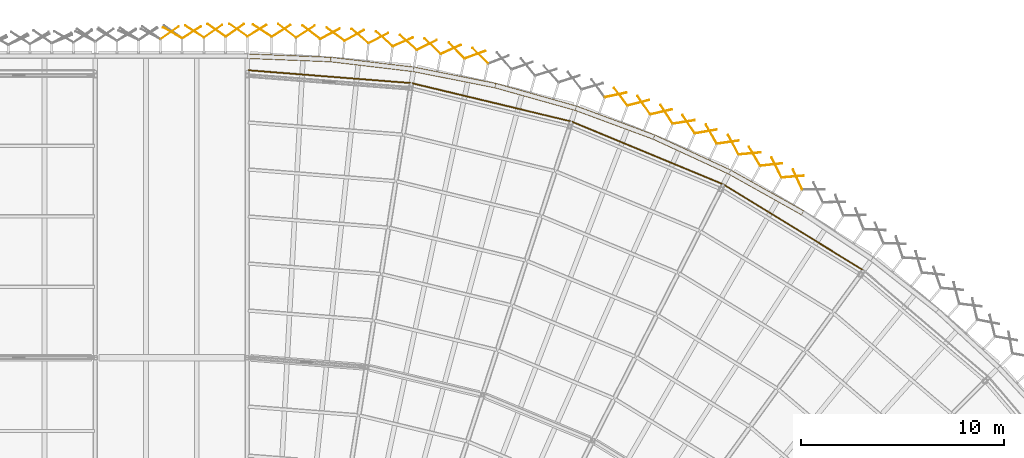
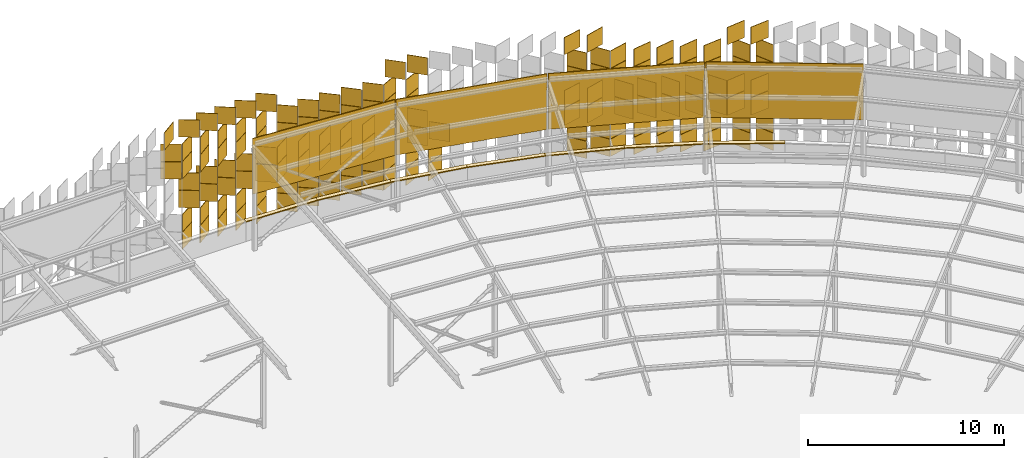
# One storey, part 481 of 483: 154 coverings.
"""IFC4 building model written with IfcOpenShell, lengths in metres."""

from ifc_helpers import new_model, si_unit, direction, frame, origin, origin_2d, place, context, subcontext, project, spatial, polyline, rectangle, outline, extrude, material, layer, layer_set, type_object, element, save


model = new_model("IFC4")

# Units and contexts
model_context = context("Model", 3, precision=1e-05, world=origin(), true_north=direction((0.0, 1.0)))
body_context = subcontext(model_context, "Body", "Model", "MODEL_VIEW")
ifc_project = project(units=[si_unit("LENGTHUNIT", "METRE"), si_unit("AREAUNIT", "SQUARE_METRE"), si_unit("VOLUMEUNIT", "CUBIC_METRE"), si_unit("PLANEANGLEUNIT", "RADIAN"), si_unit("MASSUNIT", "GRAM", prefix="KILO")], contexts=[model_context])

# Site, building, storey
site_placement = place(None, origin())
site = spatial("IfcSite", under=ifc_project, at=site_placement, CompositionType="ELEMENT")
building_placement = place(site_placement, origin())
building = spatial("IfcBuilding", under=site, at=building_placement, Name="Parallax Yard Mobility Hub", CompositionType="ELEMENT")
storey_placement = place(building_placement, frame((0.0, 0.0, 13.199951171875)))
storey = spatial("IfcBuildingStorey", under=building, at=storey_placement, Name="L04", CompositionType="ELEMENT", Elevation=13.199951171875)

# Coverings
ifc_material_1 = material(Name="Concrete fc' 35 MPa", Category="concrete")
ifc_layer_1 = layer(ifc_material_1, 0.06005859375)
ifc_layer_set_1 = layer_set([ifc_layer_1], Name="Parapet coping, Concrete fc' 35 MPa precast, 240")
covering_type_1 = type_object("IfcCoveringType", Name="Parapet coping, Concrete fc' 35 MPa precast, 240", PredefinedType="USERDEFINED", material=ifc_layer_set_1)
covering_1_placement = place(storey_placement, frame((0.0, 0.0, 1.199951171875)))
element("IfcCovering", 1, at=covering_1_placement, inside=storey, type_object=covering_type_1, Name="Parapet coping run 4 part 30", ObjectType="COPING", PredefinedType="USERDEFINED", context=body_context, shape_type="SweptSolid", body=[
    extrude(outline(polyline([(199.7900390625, 134.533203125), (199.915283203125, 134.738037109375), (196.31982421875, 136.75), (196.210693359375, 136.5361328125), (199.7900390625, 134.533203125)])), origin(), (0.0, 0.0, 1.0), 0.06005859375),
])
covering_2_placement = place(storey_placement, frame((0.0, 0.0, 1.199951171875)))
element("IfcCovering", 2, at=covering_2_placement, inside=storey, type_object=covering_type_1, Name="Parapet coping run 4 part 31", ObjectType="COPING", PredefinedType="USERDEFINED", context=body_context, shape_type="SweptSolid", body=[
    extrude(outline(polyline([(196.210693359375, 136.5361328125), (196.31982421875, 136.75), (192.5791015625, 138.47607421875), (192.487060546875, 138.254150390625), (196.210693359375, 136.5361328125)])), origin(), (0.0, 0.0, 1.0), 0.06005859375),
])
covering_3_placement = place(storey_placement, frame((0.0, 0.0, 1.199951171875)))
element("IfcCovering", 3, at=covering_3_placement, inside=storey, type_object=covering_type_1, Name="Parapet coping run 4 part 32", ObjectType="COPING", PredefinedType="USERDEFINED", context=body_context, shape_type="SweptSolid", body=[
    extrude(outline(polyline([(192.487060546875, 138.254150390625), (192.5791015625, 138.47607421875), (188.71533203125, 139.90576171875), (188.64111328125, 139.67724609375), (192.487060546875, 138.254150390625)])), origin(), (0.0, 0.0, 1.0), 0.06005859375),
])
covering_4_placement = place(storey_placement, frame((0.0, 0.0, 1.199951171875)))
element("IfcCovering", 4, at=covering_4_placement, inside=storey, type_object=covering_type_1, Name="Parapet coping run 4 part 33", ObjectType="COPING", PredefinedType="USERDEFINED", context=body_context, shape_type="SweptSolid", body=[
    extrude(outline(polyline([(188.64111328125, 139.67724609375), (188.71533203125, 139.90576171875), (184.7490234375, 141.020263671875), (184.693115234375, 140.78662109375), (188.64111328125, 139.67724609375)])), origin(), (0.0, 0.0, 1.0), 0.06005859375),
])
covering_5_placement = place(storey_placement, frame((0.0, 0.0, 1.199951171875)))
element("IfcCovering", 5, at=covering_5_placement, inside=storey, type_object=covering_type_1, Name="Parapet coping run 4 part 34", ObjectType="COPING", PredefinedType="USERDEFINED", context=body_context, shape_type="SweptSolid", body=[
    extrude(outline(polyline([(184.693115234375, 140.78662109375), (184.7490234375, 141.020263671875), (180.708251953125, 141.822509765625), (180.670654296875, 141.58544921875), (184.693115234375, 140.78662109375)])), origin(), (0.0, 0.0, 1.0), 0.06005859375),
])
covering_6_placement = place(storey_placement, frame((0.0, 0.0, 1.199951171875)))
element("IfcCovering", 6, at=covering_6_placement, inside=storey, type_object=covering_type_1, Name="Parapet coping run 4 part 35", ObjectType="COPING", PredefinedType="USERDEFINED", context=body_context, shape_type="SweptSolid", body=[
    extrude(outline(polyline([(180.670654296875, 141.58544921875), (180.708251953125, 141.822509765625), (176.61669921875, 142.30810546875), (176.597900390625, 142.06884765625), (180.670654296875, 141.58544921875)])), origin(), (0.0, 0.0, 1.0), 0.06005859375),
])
covering_7_placement = place(storey_placement, frame((0.0, 0.0, 1.199951171875)))
element("IfcCovering", 7, at=covering_7_placement, inside=storey, type_object=covering_type_1, Name="Parapet coping run 4 part 36", ObjectType="COPING", PredefinedType="USERDEFINED", context=body_context, shape_type="SweptSolid", body=[
    extrude(outline(polyline([(176.597900390625, 142.06884765625), (176.61669921875, 142.30810546875), (172.499267578125, 142.47412109375), (172.494384765625, 142.23388671875), (176.597900390625, 142.06884765625)])), origin(), (0.0, 0.0, 1.0), 0.06005859375),
])
ifc_material_2 = material(Name="Aluminium panel, silver anodised", Category="aluminium")
ifc_layer_2 = layer(ifc_material_2, 0.030029296875)
ifc_layer_set_2 = layer_set([ifc_layer_2], Name="Skin panel 30 degree turn, silver anodised")
covering_type_2 = type_object("IfcCoveringType", Name="Skin panel 30 degree turn, silver anodised", PredefinedType="CLADDING", material=ifc_layer_set_2)
for number, where, z_axis, x_axis, name in (
    (8, (168.805419921875, 143.509765625, 4.419921875), (0.0, 0.0, 1.0), (-0.866025403784, 0.5, 0.0), "Skin panel 30 bay 51.4 row 5 level L04"),
    (9, (168.805419921875, 143.509765625, 5.52001953125), (0.0, 0.0, 1.0), (-0.866025403784, 0.5, 0.0), "Skin panel 30 bay 51.4 row 6 level L04"),
):
    element("IfcCovering", number, at=place(storey_placement, frame(where, z_axis=z_axis, x_axis=x_axis)), inside=storey, type_object=covering_type_2, Name=name, ObjectType="SCREEN", PredefinedType="CLADDING", context=body_context, shape_type="SweptSolid", body=[
        extrude(rectangle(XDim=1.080078125, YDim=0.030029296875, at=origin_2d()), origin(), (0.0, 0.0, 1.0), 1.080078125),
    ])
ifc_layer_3 = layer(ifc_material_2, 0.030029296875)
ifc_layer_set_3 = layer_set([ifc_layer_3], Name="Skin panel 32.5 degree turn, silver anodised")
covering_type_3 = type_object("IfcCoveringType", Name="Skin panel 32.5 degree turn, silver anodised", PredefinedType="CLADDING", material=ifc_layer_set_3)
for number, where, z_axis, x_axis, name in (
    (10, (197.259521484375, 137.560546875, 0.02001953125), (0.0, 0.0, 1.0), (0.995396198367, 0.09584575252, 0.0), "Skin panel 32.5 bay 47.7 row 1 level L04"),
    (11, (197.259521484375, 137.560546875, 1.1201171875), (0.0, 0.0, 1.0), (0.995396198367, 0.09584575252, 0.0), "Skin panel 32.5 bay 47.7 row 2 level L04"),
    (12, (197.486572265625, 137.430908203125, 2.219970703125), (0.0, 0.0, 1.0), (-0.507538362961, 0.861629160442, 0.0), "Skin panel 32.5 bay 47.7 row 3 level L04"),
    (13, (197.486572265625, 137.430908203125, 3.320068359375), (0.0, 0.0, 1.0), (-0.507538362961, 0.861629160442, 0.0), "Skin panel 32.5 bay 47.7 row 4 level L04"),
    (14, (197.259521484375, 137.560546875, 4.419921875), (0.0, 0.0, 1.0), (0.995396198367, 0.09584575252, 0.0), "Skin panel 32.5 bay 47.7 row 5 level L04"),
    (15, (197.259521484375, 137.560546875, 5.52001953125), (0.0, 0.0, 1.0), (0.995396198367, 0.09584575252, 0.0), "Skin panel 32.5 bay 47.7 row 6 level L04"),
    (16, (194.010986328125, 139.11328125, 0.02001953125), (0.0, 0.0, 1.0), (0.988301163175, 0.152514952931, 0.0), "Skin panel 32.5 bay 48.3 row 1 level L04"),
    (17, (194.010986328125, 139.11328125, 1.1201171875), (0.0, 0.0, 1.0), (0.988301163175, 0.152514952931, 0.0), "Skin panel 32.5 bay 48.3 row 2 level L04"),
    (18, (194.236572265625, 139.01416015625, 2.219970703125), (0.0, 0.0, 1.0), (-0.555899609138, 0.831249435826, 0.0), "Skin panel 32.5 bay 48.3 row 3 level L04"),
    (19, (194.236572265625, 139.01416015625, 3.320068359375), (0.0, 0.0, 1.0), (-0.555899609138, 0.831249435826, 0.0), "Skin panel 32.5 bay 48.3 row 4 level L04"),
    (20, (194.010986328125, 139.11328125, 4.419921875), (0.0, 0.0, 1.0), (0.988301163175, 0.152514952931, 0.0), "Skin panel 32.5 bay 48.3 row 5 level L04"),
    (21, (194.010986328125, 139.11328125, 5.52001953125), (0.0, 0.0, 1.0), (0.988301163175, 0.152514952931, 0.0), "Skin panel 32.5 bay 48.3 row 6 level L04"),
    (22, (190.8984375, 140.36328125, 0.02001953125), (0.0, 0.0, 1.0), (-0.602449049595, 0.798157342033, 0.0), "Skin panel 32.5 bay 48.6 row 1 level L04"),
    (23, (190.8984375, 140.36328125, 1.1201171875), (0.0, 0.0, 1.0), (-0.602449049595, 0.798157342033, 0.0), "Skin panel 32.5 bay 48.6 row 2 level L04"),
    (24, (190.650390625, 140.445556640625, 2.219970703125), (0.0, 0.0, 1.0), (0.977982184493, 0.208688396455, 0.0), "Skin panel 32.5 bay 48.6 row 3 level L04"),
    (25, (190.650390625, 140.445556640625, 3.320068359375), (0.0, 0.0, 1.0), (0.977982184493, 0.208688396455, 0.0), "Skin panel 32.5 bay 48.6 row 4 level L04"),
    (26, (190.8984375, 140.36328125, 4.419921875), (0.0, 0.0, 1.0), (-0.602449049595, 0.798157342033, 0.0), "Skin panel 32.5 bay 48.6 row 5 level L04"),
    (27, (190.8984375, 140.36328125, 5.52001953125), (0.0, 0.0, 1.0), (-0.602449049595, 0.798157342033, 0.0), "Skin panel 32.5 bay 48.6 row 6 level L04"),
    (28, (190.650390625, 140.445556640625, 6.6201171875), (0.0, 0.0, 1.0), (0.977982184493, 0.208688396455, 0.0), "Skin panel 32.5 bay 48.6 row 7 level L04"),
    (29, (183.724365234375, 142.4296875, 0.02001953125), (0.0, 0.0, 1.0), (0.938328390314, 0.345745328141, 0.0), "Skin panel 32.5 bay 49.5 row 1 level L04"),
    (30, (183.724365234375, 142.4296875, 1.1201171875), (0.0, 0.0, 1.0), (0.938328390314, 0.345745328141, 0.0), "Skin panel 32.5 bay 49.5 row 2 level L04"),
    (31, (183.965087890625, 142.377197265625, 2.219970703125), (0.0, 0.0, 1.0), (-0.709906396482, 0.704296037355, 0.0), "Skin panel 32.5 bay 49.5 row 3 level L04"),
    (32, (180.424560546875, 143.030517578125, 0.02001953125), (0.0, 0.0, 1.0), (-0.748955720789, 0.662620048216, 0.0), "Skin panel 32.5 bay 50.1 row 1 level L04"),
    (33, (180.424560546875, 143.030517578125, 1.1201171875), (0.0, 0.0, 1.0), (-0.748955720789, 0.662620048216, 0.0), "Skin panel 32.5 bay 50.1 row 2 level L04"),
    (34, (180.164794921875, 143.05908203125, 2.219970703125), (0.0, 0.0, 1.0), (0.917060074385, 0.398749068925, 0.0), "Skin panel 32.5 bay 50.1 row 3 level L04"),
    (35, (180.164794921875, 143.05908203125, 3.320068359375), (0.0, 0.0, 1.0), (0.917060074385, 0.398749068925, 0.0), "Skin panel 32.5 bay 50.1 row 4 level L04"),
    (36, (180.424560546875, 143.030517578125, 4.419921875), (0.0, 0.0, 1.0), (-0.748955720789, 0.662620048216, 0.0), "Skin panel 32.5 bay 50.1 row 5 level L04"),
    (37, (180.424560546875, 143.030517578125, 5.52001953125), (0.0, 0.0, 1.0), (-0.748955720789, 0.662620048216, 0.0), "Skin panel 32.5 bay 50.1 row 6 level L04"),
    (38, (176.83935546875, 143.4375, 0.02001953125), (0.0, 0.0, 1.0), (-0.802912160458, 0.596097359991, 0.0), "Skin panel 32.5 bay 50.4 row 1 level L04"),
    (39, (176.83935546875, 143.4375, 1.1201171875), (0.0, 0.0, 1.0), (-0.802912160458, 0.596097359991, 0.0), "Skin panel 32.5 bay 50.4 row 2 level L04"),
    (40, (176.579345703125, 143.462646484375, 2.219970703125), (0.0, 0.0, 1.0), (0.879573020775, 0.475763913222, 0.0), "Skin panel 32.5 bay 50.4 row 3 level L04"),
    (41, (176.579345703125, 143.462646484375, 3.320068359375), (0.0, 0.0, 1.0), (0.879573020775, 0.475763913222, 0.0), "Skin panel 32.5 bay 50.4 row 4 level L04"),
    (42, (176.83935546875, 143.4375, 4.419921875), (0.0, 0.0, 1.0), (-0.802912160458, 0.596097359991, 0.0), "Skin panel 32.5 bay 50.4 row 5 level L04"),
    (43, (176.83935546875, 143.4375, 5.52001953125), (0.0, 0.0, 1.0), (-0.802912160458, 0.596097359991, 0.0), "Skin panel 32.5 bay 50.4 row 6 level L04"),
    (44, (172.975341796875, 143.615966796875, 0.02001953125), (0.0, 0.0, 1.0), (0.850977982527, 0.525201364482, 0.0), "Skin panel 32.5 bay 50.7 row 1 level L04"),
    (45, (172.975341796875, 143.615966796875, 1.1201171875), (0.0, 0.0, 1.0), (0.850977982527, 0.525201364482, 0.0), "Skin panel 32.5 bay 50.7 row 2 level L04"),
    (46, (173.22900390625, 143.612548828125, 2.219970703125), (0.0, 0.0, 1.0), (-0.835632922148, 0.54928828444, 0.0), "Skin panel 32.5 bay 50.7 row 3 level L04"),
    (47, (173.22900390625, 143.612548828125, 3.320068359375), (0.0, 0.0, 1.0), (-0.835632922148, 0.54928828444, 0.0), "Skin panel 32.5 bay 50.7 row 4 level L04"),
    (48, (172.975341796875, 143.615966796875, 4.419921875), (0.0, 0.0, 1.0), (0.850977982527, 0.525201364482, 0.0), "Skin panel 32.5 bay 50.7 row 5 level L04"),
    (49, (172.975341796875, 143.615966796875, 5.52001953125), (0.0, 0.0, 1.0), (0.850977982527, 0.525201364482, 0.0), "Skin panel 32.5 bay 50.7 row 6 level L04"),
    (50, (173.22900390625, 143.612548828125, 6.6201171875), (0.0, 0.0, 1.0), (-0.835632922148, 0.54928828444, 0.0), "Skin panel 32.5 bay 50.7 row 7 level L04"),
    (51, (169.75634765625, 143.530517578125, 0.02001953125), (0.0, 0.0, 1.0), (0.843391445813, 0.537299608347, 0.0), "Skin panel 32.5 bay 51.3 row 1 level L04"),
    (52, (169.75634765625, 143.530517578125, 1.1201171875), (0.0, 0.0, 1.0), (0.843391445813, 0.537299608347, 0.0), "Skin panel 32.5 bay 51.3 row 2 level L04"),
    (53, (169.889404296875, 143.570556640625, 2.219970703125), (0.0, 0.0, 1.0), (-0.843391445813, 0.537299608347, 0.0), "Skin panel 32.5 bay 51.3 row 3 level L04"),
    (54, (169.889404296875, 143.570556640625, 3.320068359375), (0.0, 0.0, 1.0), (-0.843391445813, 0.537299608347, 0.0), "Skin panel 32.5 bay 51.3 row 4 level L04"),
    (55, (169.75634765625, 143.530517578125, 4.419921875), (0.0, 0.0, 1.0), (0.843391445813, 0.537299608347, 0.0), "Skin panel 32.5 bay 51.3 row 5 level L04"),
    (56, (169.75634765625, 143.530517578125, 5.52001953125), (0.0, 0.0, 1.0), (0.843391445813, 0.537299608347, 0.0), "Skin panel 32.5 bay 51.3 row 6 level L04"),
    (57, (169.889404296875, 143.570556640625, 6.6201171875), (0.0, 0.0, 1.0), (-0.843391445813, 0.537299608347, 0.0), "Skin panel 32.5 bay 51.3 row 7 level L04"),
):
    element("IfcCovering", number, at=place(storey_placement, frame(where, z_axis=z_axis, x_axis=x_axis)), inside=storey, type_object=covering_type_3, Name=name, ObjectType="SCREEN", PredefinedType="CLADDING", context=body_context, shape_type="SweptSolid", body=[
        extrude(rectangle(XDim=1.080078125, YDim=0.030029296875, at=origin_2d()), origin(), (0.0, 0.0, 1.0), 1.080078125),
    ])
ifc_layer_4 = layer(ifc_material_2, 0.030029296875)
ifc_layer_set_4 = layer_set([ifc_layer_4], Name="Skin panel 35 degree turn, silver anodised")
covering_type_4 = type_object("IfcCoveringType", Name="Skin panel 35 degree turn, silver anodised", PredefinedType="CLADDING", material=ifc_layer_set_4)
for number, where, z_axis, x_axis, name in (
    (58, (199.61083984375, 136.28173828125, 0.02001953125), (0.0, 0.0, 1.0), (-0.418299907681, 0.908308971239, 0.0), "Skin panel 35 bay 47.5 row 1 level L04"),
    (59, (199.61083984375, 136.28173828125, 1.1201171875), (0.0, 0.0, 1.0), (-0.418299907681, 0.908308971239, 0.0), "Skin panel 35 bay 47.5 row 2 level L04"),
    (60, (199.374755859375, 136.41943359375, 2.219970703125), (0.0, 0.0, 1.0), (0.996598232046, 0.082413371996, 0.0), "Skin panel 35 bay 47.5 row 3 level L04"),
    (61, (199.374755859375, 136.41943359375, 3.320068359375), (0.0, 0.0, 1.0), (0.996598232046, 0.082413371996, 0.0), "Skin panel 35 bay 47.5 row 4 level L04"),
    (62, (199.61083984375, 136.28173828125, 4.419921875), (0.0, 0.0, 1.0), (-0.418299907681, 0.908308971239, 0.0), "Skin panel 35 bay 47.5 row 5 level L04"),
    (63, (199.61083984375, 136.28173828125, 5.52001953125), (0.0, 0.0, 1.0), (-0.418299907681, 0.908308971239, 0.0), "Skin panel 35 bay 47.5 row 6 level L04"),
    (64, (199.374755859375, 136.41943359375, 6.6201171875), (0.0, 0.0, 1.0), (0.996598232046, 0.082413371996, 0.0), "Skin panel 35 bay 47.5 row 7 level L04"),
    (65, (198.5732421875, 136.872314453125, 0.02001953125), (0.0, 0.0, 1.0), (-0.44406604395, 0.895994056125, 0.0), "Skin panel 35 bay 47.6 row 1 level L04"),
    (66, (198.5732421875, 136.872314453125, 1.1201171875), (0.0, 0.0, 1.0), (-0.44406604395, 0.895994056125, 0.0), "Skin panel 35 bay 47.6 row 2 level L04"),
    (67, (198.32177734375, 137.01318359375, 2.219970703125), (0.0, 0.0, 1.0), (0.993838534806, 0.110837569146, 0.0), "Skin panel 35 bay 47.6 row 3 level L04"),
    (68, (198.32177734375, 137.01318359375, 3.320068359375), (0.0, 0.0, 1.0), (0.993838534806, 0.110837569146, 0.0), "Skin panel 35 bay 47.6 row 4 level L04"),
    (69, (198.5732421875, 136.872314453125, 4.419921875), (0.0, 0.0, 1.0), (-0.44406604395, 0.895994056125, 0.0), "Skin panel 35 bay 47.6 row 5 level L04"),
    (70, (198.5732421875, 136.872314453125, 5.52001953125), (0.0, 0.0, 1.0), (-0.44406604395, 0.895994056125, 0.0), "Skin panel 35 bay 47.6 row 6 level L04"),
    (71, (198.32177734375, 137.01318359375, 6.6201171875), (0.0, 0.0, 1.0), (0.993838534806, 0.110837569146, 0.0), "Skin panel 35 bay 47.6 row 7 level L04"),
    (72, (196.18212890625, 138.1181640625, 0.02001953125), (0.0, 0.0, 1.0), (0.990268068742, 0.13917310096, 0.0), "Skin panel 35 bay 48.1 row 1 level L04"),
    (73, (196.18212890625, 138.1181640625, 1.1201171875), (0.0, 0.0, 1.0), (0.990268068742, 0.13917310096, 0.0), "Skin panel 35 bay 48.1 row 2 level L04"),
    (74, (196.444580078125, 137.99853515625, 2.219970703125), (0.0, 0.0, 1.0), (-0.469471562786, 0.882947592859, 0.0), "Skin panel 35 bay 48.1 row 3 level L04"),
    (75, (196.444580078125, 137.99853515625, 3.320068359375), (0.0, 0.0, 1.0), (-0.469471562786, 0.882947592859, 0.0), "Skin panel 35 bay 48.1 row 4 level L04"),
    (76, (196.18212890625, 138.1181640625, 4.419921875), (0.0, 0.0, 1.0), (0.990268068742, 0.13917310096, 0.0), "Skin panel 35 bay 48.1 row 5 level L04"),
    (77, (196.18212890625, 138.1181640625, 5.52001953125), (0.0, 0.0, 1.0), (0.990268068742, 0.13917310096, 0.0), "Skin panel 35 bay 48.1 row 6 level L04"),
    (78, (195.09423828125, 138.644775390625, 0.02001953125), (0.0, 0.0, 1.0), (0.985889889941, 0.167395116152, 0.0), "Skin panel 35 bay 48.2 row 1 level L04"),
    (79, (195.09423828125, 138.644775390625, 1.1201171875), (0.0, 0.0, 1.0), (0.985889889941, 0.167395116152, 0.0), "Skin panel 35 bay 48.2 row 2 level L04"),
    (80, (195.356201171875, 138.5244140625, 2.219970703125), (0.0, 0.0, 1.0), (-0.494494156864, 0.869180952867, 0.0), "Skin panel 35 bay 48.2 row 3 level L04"),
    (81, (195.356201171875, 138.5244140625, 3.320068359375), (0.0, 0.0, 1.0), (-0.494494156864, 0.869180952867, 0.0), "Skin panel 35 bay 48.2 row 4 level L04"),
    (82, (195.09423828125, 138.644775390625, 4.419921875), (0.0, 0.0, 1.0), (0.985889889941, 0.167395116152, 0.0), "Skin panel 35 bay 48.2 row 5 level L04"),
    (83, (195.09423828125, 138.644775390625, 5.52001953125), (0.0, 0.0, 1.0), (0.985889889941, 0.167395116152, 0.0), "Skin panel 35 bay 48.2 row 6 level L04"),
    (84, (192.894287109375, 139.609619140625, 0.02001953125), (0.0, 0.0, 1.0), (0.974725724206, 0.223404929604, 0.0), "Skin panel 35 bay 48.4 row 1 level L04"),
    (85, (192.894287109375, 139.609619140625, 1.1201171875), (0.0, 0.0, 1.0), (0.974725724206, 0.223404929604, 0.0), "Skin panel 35 bay 48.4 row 2 level L04"),
    (86, (193.158935546875, 139.495361328125, 2.219970703125), (0.0, 0.0, 1.0), (-0.543307795692, 0.839533584284, 0.0), "Skin panel 35 bay 48.4 row 3 level L04"),
    (87, (193.158935546875, 139.495361328125, 3.320068359375), (0.0, 0.0, 1.0), (-0.543307795692, 0.839533584284, 0.0), "Skin panel 35 bay 48.4 row 4 level L04"),
    (88, (192.894287109375, 139.609619140625, 4.419921875), (0.0, 0.0, 1.0), (0.974725724206, 0.223404929604, 0.0), "Skin panel 35 bay 48.4 row 5 level L04"),
    (89, (192.894287109375, 139.609619140625, 5.52001953125), (0.0, 0.0, 1.0), (0.974725724206, 0.223404929604, 0.0), "Skin panel 35 bay 48.4 row 6 level L04"),
    (90, (192.03662109375, 139.943603515625, 0.02001953125), (0.0, 0.0, 1.0), (-0.567060517311, 0.823676131563, 0.0), "Skin panel 35 bay 48.5 row 1 level L04"),
    (91, (192.03662109375, 139.943603515625, 1.1201171875), (0.0, 0.0, 1.0), (-0.567060517311, 0.823676131563, 0.0), "Skin panel 35 bay 48.5 row 2 level L04"),
    (92, (191.772216796875, 140.058837890625, 2.219970703125), (0.0, 0.0, 1.0), (0.967948502152, 0.251148755085, 0.0), "Skin panel 35 bay 48.5 row 3 level L04"),
    (93, (191.772216796875, 140.058837890625, 3.320068359375), (0.0, 0.0, 1.0), (0.967948502152, 0.251148755085, 0.0), "Skin panel 35 bay 48.5 row 4 level L04"),
    (94, (192.03662109375, 139.943603515625, 4.419921875), (0.0, 0.0, 1.0), (-0.567060517311, 0.823676131563, 0.0), "Skin panel 35 bay 48.5 row 5 level L04"),
    (95, (192.03662109375, 139.943603515625, 5.52001953125), (0.0, 0.0, 1.0), (-0.567060517311, 0.823676131563, 0.0), "Skin panel 35 bay 48.5 row 6 level L04"),
    (96, (191.772216796875, 140.058837890625, 6.6201171875), (0.0, 0.0, 1.0), (0.967948502152, 0.251148755085, 0.0), "Skin panel 35 bay 48.5 row 7 level L04"),
    (97, (182.53076171875, 142.69140625, 0.02001953125), (0.0, 0.0, 1.0), (0.910945922191, 0.412525789307, 0.0), "Skin panel 35 bay 49.6 row 1 level L04"),
    (98, (182.53076171875, 142.69140625, 1.1201171875), (0.0, 0.0, 1.0), (0.910945922191, 0.412525789307, 0.0), "Skin panel 35 bay 49.6 row 2 level L04"),
    (99, (182.8134765625, 142.635009765625, 2.219970703125), (0.0, 0.0, 1.0), (-0.699209294965, 0.714917031434, 0.0), "Skin panel 35 bay 49.6 row 3 level L04"),
    (100, (182.8134765625, 142.635009765625, 3.320068359375), (0.0, 0.0, 1.0), (-0.699209294965, 0.714917031434, 0.0), "Skin panel 35 bay 49.6 row 4 level L04"),
    (101, (182.53076171875, 142.69140625, 4.419921875), (0.0, 0.0, 1.0), (0.910945922191, 0.412525789307, 0.0), "Skin panel 35 bay 49.6 row 5 level L04"),
    (102, (182.53076171875, 142.69140625, 5.52001953125), (0.0, 0.0, 1.0), (0.910945922191, 0.412525789307, 0.0), "Skin panel 35 bay 49.6 row 6 level L04"),
    (103, (182.8134765625, 142.635009765625, 6.6201171875), (0.0, 0.0, 1.0), (-0.699209294965, 0.714917031434, 0.0), "Skin panel 35 bay 49.6 row 7 level L04"),
    (104, (181.34130859375, 142.906005859375, 0.02001953125), (0.0, 0.0, 1.0), (0.898794046299, 0.438371146789, 0.0), "Skin panel 35 bay 49.7 row 1 level L04"),
    (105, (181.34130859375, 142.906005859375, 1.1201171875), (0.0, 0.0, 1.0), (0.898794046299, 0.438371146789, 0.0), "Skin panel 35 bay 49.7 row 2 level L04"),
    (106, (181.623779296875, 142.848388671875, 2.219970703125), (0.0, 0.0, 1.0), (-0.719339800339, 0.694658370459, 0.0), "Skin panel 35 bay 49.7 row 3 level L04"),
    (107, (181.623779296875, 142.848388671875, 3.320068359375), (0.0, 0.0, 1.0), (-0.719339800339, 0.694658370459, 0.0), "Skin panel 35 bay 49.7 row 4 level L04"),
    (108, (181.34130859375, 142.906005859375, 4.419921875), (0.0, 0.0, 1.0), (0.898794046299, 0.438371146789, 0.0), "Skin panel 35 bay 49.7 row 5 level L04"),
    (109, (181.34130859375, 142.906005859375, 5.52001953125), (0.0, 0.0, 1.0), (0.898794046299, 0.438371146789, 0.0), "Skin panel 35 bay 49.7 row 6 level L04"),
    (110, (181.623779296875, 142.848388671875, 6.6201171875), (0.0, 0.0, 1.0), (-0.719339800339, 0.694658370459, 0.0), "Skin panel 35 bay 49.7 row 7 level L04"),
    (111, (179.24365234375, 143.212158203125, 0.02001953125), (0.0, 0.0, 1.0), (-0.738883575779, 0.673833110974, 0.0), "Skin panel 35 bay 50.2 row 1 level L04"),
    (112, (179.24365234375, 143.212158203125, 1.1201171875), (0.0, 0.0, 1.0), (-0.738883575779, 0.673833110974, 0.0), "Skin panel 35 bay 50.2 row 2 level L04"),
    (113, (178.95751953125, 143.245849609375, 2.219970703125), (0.0, 0.0, 1.0), (0.885909068512, 0.463858946586, 0.0), "Skin panel 35 bay 50.2 row 3 level L04"),
    (114, (178.95751953125, 143.245849609375, 3.320068359375), (0.0, 0.0, 1.0), (0.885909068512, 0.463858946586, 0.0), "Skin panel 35 bay 50.2 row 4 level L04"),
    (115, (179.24365234375, 143.212158203125, 4.419921875), (0.0, 0.0, 1.0), (-0.738883575779, 0.673833110974, 0.0), "Skin panel 35 bay 50.2 row 5 level L04"),
    (116, (179.24365234375, 143.212158203125, 5.52001953125), (0.0, 0.0, 1.0), (-0.738883575779, 0.673833110974, 0.0), "Skin panel 35 bay 50.2 row 6 level L04"),
    (117, (178.04296875, 143.3505859375, 0.02001953125), (0.0, 0.0, 1.0), (-0.757823541638, 0.652459561766, 0.0), "Skin panel 35 bay 50.3 row 1 level L04"),
    (118, (178.04296875, 143.3505859375, 1.1201171875), (0.0, 0.0, 1.0), (-0.757823541638, 0.652459561766, 0.0), "Skin panel 35 bay 50.3 row 2 level L04"),
    (119, (177.771240234375, 143.3779296875, 2.219970703125), (0.0, 0.0, 1.0), (0.872302351879, 0.488966877106, 0.0), "Skin panel 35 bay 50.3 row 3 level L04"),
    (120, (177.771240234375, 143.3779296875, 3.320068359375), (0.0, 0.0, 1.0), (0.872302351879, 0.488966877106, 0.0), "Skin panel 35 bay 50.3 row 4 level L04"),
    (121, (178.04296875, 143.3505859375, 4.419921875), (0.0, 0.0, 1.0), (-0.757823541638, 0.652459561766, 0.0), "Skin panel 35 bay 50.3 row 5 level L04"),
    (122, (178.04296875, 143.3505859375, 5.52001953125), (0.0, 0.0, 1.0), (-0.757823541638, 0.652459561766, 0.0), "Skin panel 35 bay 50.3 row 6 level L04"),
    (123, (175.6484375, 143.5361328125, 0.02001953125), (0.0, 0.0, 1.0), (-0.793836522636, 0.608131215552, 0.0), "Skin panel 35 bay 50.5 row 1 level L04"),
    (124, (175.6484375, 143.5361328125, 1.1201171875), (0.0, 0.0, 1.0), (-0.793836522636, 0.608131215552, 0.0), "Skin panel 35 bay 50.5 row 2 level L04"),
    (125, (175.361572265625, 143.564208984375, 2.219970703125), (0.0, 0.0, 1.0), (0.842964496973, 0.537969196928, 0.0), "Skin panel 35 bay 50.5 row 3 level L04"),
    (126, (175.361572265625, 143.564208984375, 3.320068359375), (0.0, 0.0, 1.0), (0.842964496973, 0.537969196928, 0.0), "Skin panel 35 bay 50.5 row 4 level L04"),
    (127, (175.6484375, 143.5361328125, 4.419921875), (0.0, 0.0, 1.0), (-0.793836522636, 0.608131215552, 0.0), "Skin panel 35 bay 50.5 row 5 level L04"),
    (128, (175.6484375, 143.5361328125, 5.52001953125), (0.0, 0.0, 1.0), (-0.793836522636, 0.608131215552, 0.0), "Skin panel 35 bay 50.5 row 6 level L04"),
    (129, (174.162841796875, 143.606201171875, 0.02001953125), (0.0, 0.0, 1.0), (0.842964496973, 0.537969196928, 0.0), "Skin panel 35 bay 50.6 row 1 level L04"),
    (130, (174.162841796875, 143.606201171875, 1.1201171875), (0.0, 0.0, 1.0), (0.842964496973, 0.537969196928, 0.0), "Skin panel 35 bay 50.6 row 2 level L04"),
    (131, (174.45068359375, 143.603271484375, 2.219970703125), (0.0, 0.0, 1.0), (-0.793836522636, 0.608131215552, 0.0), "Skin panel 35 bay 50.6 row 3 level L04"),
    (132, (174.45068359375, 143.603271484375, 3.320068359375), (0.0, 0.0, 1.0), (-0.793836522636, 0.608131215552, 0.0), "Skin panel 35 bay 50.6 row 4 level L04"),
    (133, (174.162841796875, 143.606201171875, 4.419921875), (0.0, 0.0, 1.0), (0.842964496973, 0.537969196928, 0.0), "Skin panel 35 bay 50.6 row 5 level L04"),
    (134, (174.162841796875, 143.606201171875, 5.52001953125), (0.0, 0.0, 1.0), (0.842964496973, 0.537969196928, 0.0), "Skin panel 35 bay 50.6 row 6 level L04"),
    (135, (174.45068359375, 143.603271484375, 6.6201171875), (0.0, 0.0, 1.0), (-0.793836522636, 0.608131215552, 0.0), "Skin panel 35 bay 50.6 row 7 level L04"),
    (136, (171.885986328125, 143.630859375, 0.02001953125), (0.0, 0.0, 1.0), (0.819152044289, 0.573576436351, 0.0), "Skin panel 35 bay 51.1 row 1 level L04"),
    (137, (171.885986328125, 143.630859375, 1.1201171875), (0.0, 0.0, 1.0), (0.819152044289, 0.573576436351, 0.0), "Skin panel 35 bay 51.1 row 2 level L04"),
    (138, (172.046142578125, 143.642822265625, 2.219970703125), (0.0, 0.0, 1.0), (-0.819152044289, 0.573576436351, 0.0), "Skin panel 35 bay 51.1 row 3 level L04"),
    (139, (172.046142578125, 143.642822265625, 3.320068359375), (0.0, 0.0, 1.0), (-0.819152044289, 0.573576436351, 0.0), "Skin panel 35 bay 51.1 row 4 level L04"),
    (140, (171.885986328125, 143.630859375, 4.419921875), (0.0, 0.0, 1.0), (0.819152044289, 0.573576436351, 0.0), "Skin panel 35 bay 51.1 row 5 level L04"),
    (141, (171.885986328125, 143.630859375, 5.52001953125), (0.0, 0.0, 1.0), (0.819152044289, 0.573576436351, 0.0), "Skin panel 35 bay 51.1 row 6 level L04"),
    (142, (172.046142578125, 143.642822265625, 6.6201171875), (0.0, 0.0, 1.0), (-0.819152044289, 0.573576436351, 0.0), "Skin panel 35 bay 51.1 row 7 level L04"),
    (143, (170.814453125, 143.5908203125, 0.02001953125), (0.0, 0.0, 1.0), (0.819152044289, 0.573576436351, 0.0), "Skin panel 35 bay 51.2 row 1 level L04"),
    (144, (170.814453125, 143.5908203125, 1.1201171875), (0.0, 0.0, 1.0), (0.819152044289, 0.573576436351, 0.0), "Skin panel 35 bay 51.2 row 2 level L04"),
    (145, (170.974609375, 143.630859375, 2.219970703125), (0.0, 0.0, 1.0), (-0.819152044289, 0.573576436351, 0.0), "Skin panel 35 bay 51.2 row 3 level L04"),
    (146, (170.974609375, 143.630859375, 3.320068359375), (0.0, 0.0, 1.0), (-0.819152044289, 0.573576436351, 0.0), "Skin panel 35 bay 51.2 row 4 level L04"),
    (147, (170.814453125, 143.5908203125, 4.419921875), (0.0, 0.0, 1.0), (0.819152044289, 0.573576436351, 0.0), "Skin panel 35 bay 51.2 row 5 level L04"),
    (148, (170.814453125, 143.5908203125, 5.52001953125), (0.0, 0.0, 1.0), (0.819152044289, 0.573576436351, 0.0), "Skin panel 35 bay 51.2 row 6 level L04"),
    (149, (170.974609375, 143.630859375, 6.6201171875), (0.0, 0.0, 1.0), (-0.819152044289, 0.573576436351, 0.0), "Skin panel 35 bay 51.2 row 7 level L04"),
    (150, (168.67138671875, 143.510498046875, 6.6201171875), (0.0, 0.0, 1.0), (0.819152044289, 0.573576436351, 0.0), "Skin panel 35 bay 51.4 row 7 level L04"),
):
    element("IfcCovering", number, at=place(storey_placement, frame(where, z_axis=z_axis, x_axis=x_axis)), inside=storey, type_object=covering_type_4, Name=name, ObjectType="SCREEN", PredefinedType="CLADDING", context=body_context, shape_type="SweptSolid", body=[
        extrude(rectangle(XDim=1.080078125, YDim=0.030029296875, at=origin_2d()), origin(), (0.0, 0.0, 1.0), 1.080078125),
    ])
ifc_material_3 = material(Name="Anodised aluminium louvre panel", Category="aluminium")
ifc_layer_5 = layer(ifc_material_3, 0.050048828125)
ifc_layer_set_5 = layer_set([ifc_layer_5], Name="Storm valance louvre panel 50")
covering_type_5 = type_object("IfcCoveringType", Name="Storm valance louvre panel 50", PredefinedType="CLADDING", material=ifc_layer_set_5)
covering_8_placement = place(storey_placement, frame((0.0, 0.0, 3.300048828125)))
element("IfcCovering", 151, at=covering_8_placement, inside=storey, type_object=covering_type_5, Name="Storm valance sector R0-R1", PredefinedType="CLADDING", context=body_context, shape_type="SweptSolid", body=[
    extrude(outline(polyline([(172.52978515625, 141.6376953125), (180.54833984375, 141.006591796875), (180.55224609375, 141.056396484375), (172.53369140625, 141.6875), (172.52978515625, 141.6376953125)])), origin(), (0.0, 0.0, 1.0), 3.46630859375),
])
covering_9_placement = place(storey_placement, frame((0.0, 0.0, 3.300048828125)))
element("IfcCovering", 152, at=covering_9_placement, inside=storey, type_object=covering_type_5, Name="Storm valance sector R1-R2", PredefinedType="CLADDING", context=body_context, shape_type="SweptSolid", body=[
    extrude(outline(polyline([(180.607421875, 140.997314453125), (188.428466796875, 139.11962890625), (188.440185546875, 139.168212890625), (180.619140625, 141.0458984375), (180.607421875, 140.997314453125)])), origin(), (0.0, 0.0, 1.0), 3.46630859375),
])
covering_10_placement = place(storey_placement, frame((0.0, 0.0, 3.300048828125)))
element("IfcCovering", 153, at=covering_10_placement, inside=storey, type_object=covering_type_5, Name="Storm valance sector R2-R3", PredefinedType="CLADDING", context=body_context, shape_type="SweptSolid", body=[
    extrude(outline(polyline([(188.4853515625, 139.10107421875), (195.91650390625, 136.023193359375), (195.935546875, 136.0693359375), (188.50439453125, 139.147216796875), (188.4853515625, 139.10107421875)])), origin(), (0.0, 0.0, 1.0), 3.46630859375),
])
covering_11_placement = place(storey_placement, frame((0.0, 0.0, 3.300048828125)))
element("IfcCovering", 154, at=covering_11_placement, inside=storey, type_object=covering_type_5, Name="Storm valance sector R3-R4", PredefinedType="CLADDING", context=body_context, shape_type="SweptSolid", body=[
    extrude(outline(polyline([(195.9697265625, 135.995849609375), (202.82763671875, 131.793212890625), (202.853759765625, 131.8359375), (195.995849609375, 136.03857421875), (195.9697265625, 135.995849609375)])), origin(), (0.0, 0.0, 1.0), 3.46630859375),
])

save(model, "model.ifc")
